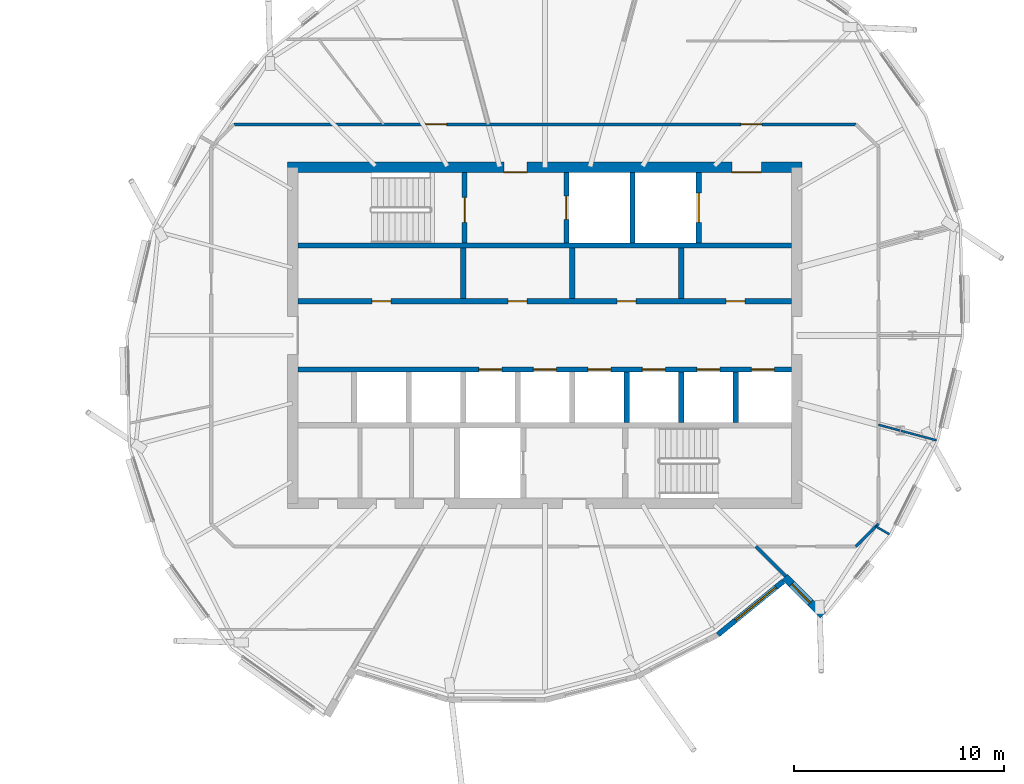
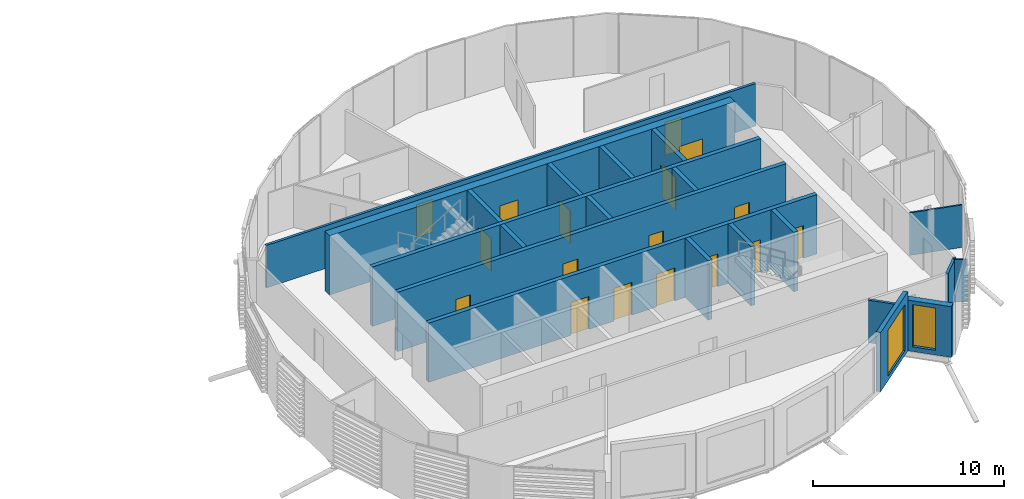
# One storey, part 24 of 41: 21 walls, 17 doors, 2 windows, 19 openings.
"""IFC4 building model written with IfcOpenShell, lengths in metres."""

from ifc_helpers import new_model, si_unit, direction, frame, frame_2d, origin, place, context, subcontext, project, spatial, rectangle, extrude, material, layer, layer_set, type_object, element, fill, save


model = new_model("IFC4")

# Units and contexts
model_context = context("Model", 3, precision=1e-05, world=origin(), true_north=direction((0.0, 1.0)))
body_context = subcontext(model_context, "Body", "Model", "MODEL_VIEW")
ifc_project = project(units=[si_unit("LENGTHUNIT", "METRE"), si_unit("AREAUNIT", "SQUARE_METRE"), si_unit("VOLUMEUNIT", "CUBIC_METRE"), si_unit("PLANEANGLEUNIT", "RADIAN"), si_unit("MASSUNIT", "GRAM", prefix="KILO")], contexts=[model_context])

# Site, building, storey
site_placement = place(None, origin())
site = spatial("IfcSite", under=ifc_project, at=site_placement, CompositionType="ELEMENT")
building_placement = place(site_placement, origin())
building = spatial("IfcBuilding", under=site, at=building_placement, Name="Rimbun Link Towers", CompositionType="ELEMENT")
storey_placement = place(building_placement, frame((0.0, 0.0, 214.300048828125)))
storey = spatial("IfcBuildingStorey", under=building, at=storey_placement, Name="L52", CompositionType="ELEMENT", Elevation=214.300048828125)

# Wall, opening, window
ifc_material_1 = material(Name="Dark enamelled glass spandrel on insulated aluminium backpan", Category="aluminium")
ifc_layer_1 = layer(ifc_material_1, 0.25)
ifc_layer_set_1 = layer_set([ifc_layer_1], Name="CS dark enamelled spandrel wall 250")
wall_type_1 = type_object("IfcWallType", Name="CS dark enamelled spandrel wall 250", PredefinedType="STANDARD", material=ifc_layer_set_1)
wall_1_placement = place(storey_placement, frame((43.10205078125, -11.70556640625, 0.0), z_axis=(0.0, 0.0, 1.0), x_axis=(-0.774667873464, -0.632368315006, 0.0)))
wall_1 = element("IfcWall", 1, at=wall_1_placement, inside=storey, type_object=wall_type_1, Name="Crease spandrel wall", PredefinedType="STANDARD", context=body_context, shape_type="SweptSolid", body=[
    extrude(rectangle(XDim=4.023193359375, YDim=0.25, at=frame_2d((2.01171875, 0.0))), origin(), (0.0, 0.0, 1.0), 3.800048828125),
])
opening_1_placement = place(wall_1_placement, frame((0.45166015625, 0.0, 0.300048828125)))
opening_1 = element("IfcOpeningElement", 2, at=opening_1_placement, cuts=wall_1, Name="Opening WR25H295", PredefinedType="OPENING", context=body_context, shape_type="SweptSolid", body=[
    extrude(rectangle(XDim=2.5, YDim=2.949951171875, at=frame_2d((1.25, 1.47509765625))), frame((0.0, 0.135009765625, 0.0), z_axis=(0.0, -1.0, 0.0), x_axis=(1.0, 0.0, 0.0)), (0.0, 0.0, 1.0), 0.27001953125),
])
ifc_material_2 = material(Name="Aluminium framed fixed window, dark tinted low-e glass", Category="aluminium")
window_type_1 = type_object("IfcWindowType", Name="WR ribbon window 2500X2950", PartitioningType="SINGLE_PANEL", PredefinedType="WINDOW", material=ifc_material_2)
window_1_placement = place(opening_1_placement, origin())
window_1 = element("IfcWindow", 3, at=window_1_placement, inside=storey, type_object=window_type_1, Name="Crease ribbon window", OverallHeight=2.949951171875, OverallWidth=2.5, PartitioningType="SINGLE_PANEL", PredefinedType="WINDOW", context=body_context, shape_type="SweptSolid", body=[
    extrude(rectangle(XDim=2.5, YDim=2.949951171875, at=frame_2d((1.25, 1.47509765625))), frame((0.0, 0.030029296875, 0.0), z_axis=(0.0, -1.0, 0.0), x_axis=(1.0, 0.0, 0.0)), (0.0, 0.0, 1.0), 0.06005859375),
])
fill(opening_1, window_1)

ifc_material_3 = material(Name="Dark enamelled glass spandrel on insulated aluminium backpan", Category="aluminium")
ifc_layer_2 = layer(ifc_material_3, 0.3701171875)
ifc_layer_set_2 = layer_set([ifc_layer_2], Name="CS dark enamelled spandrel wall 370")
wall_type_2 = type_object("IfcWallType", Name="CS dark enamelled spandrel wall 370", PredefinedType="STANDARD", material=ifc_layer_set_2)
wall_2_placement = place(storey_placement, frame((44.986083984375, -13.328125, 0.0), z_axis=(0.0, 0.0, 1.0), x_axis=(-0.707059465667, 0.70715409354, 0.0)))
wall_2 = element("IfcWall", 4, at=wall_2_placement, inside=storey, type_object=wall_type_2, Name="Crease spandrel wall", PredefinedType="STANDARD", context=body_context, shape_type="SweptSolid", body=[
    extrude(rectangle(XDim=2.580078125, YDim=0.3701171875, at=frame_2d((1.2900390625, 0.0))), origin(), (0.0, 0.0, 1.0), 3.24365234375),
])
opening_2_placement = place(wall_2_placement, frame((0.85888671875, 0.0, 0.300048828125)))
opening_2 = element("IfcOpeningElement", 5, at=opening_2_placement, cuts=wall_2, Name="Opening WR12H270", PredefinedType="OPENING", context=body_context, shape_type="SweptSolid", body=[
    extrude(rectangle(XDim=1.25, YDim=2.699951171875, at=frame_2d((0.625, 1.35009765625))), frame((0.0, 0.195068359375, 0.0), z_axis=(0.0, -1.0, 0.0), x_axis=(1.0, 0.0, 0.0)), (0.0, 0.0, 1.0), 0.39013671875),
])
ifc_material_4 = material(Name="Aluminium framed fixed window, dark tinted low-e glass", Category="aluminium")
window_type_2 = type_object("IfcWindowType", Name="WR ribbon window 1250X2700", PartitioningType="SINGLE_PANEL", PredefinedType="WINDOW", material=ifc_material_4)
window_2_placement = place(opening_2_placement, origin())
window_2 = element("IfcWindow", 6, at=window_2_placement, inside=storey, type_object=window_type_2, Name="Crease ribbon window", OverallHeight=2.699951171875, OverallWidth=1.25, PartitioningType="SINGLE_PANEL", PredefinedType="WINDOW", context=body_context, shape_type="SweptSolid", body=[
    extrude(rectangle(XDim=1.25, YDim=2.699951171875, at=frame_2d((0.625, 1.35009765625))), frame((0.0, 0.030029296875, 0.0), z_axis=(0.0, -1.0, 0.0), x_axis=(1.0, 0.0, 0.0)), (0.0, 0.0, 1.0), 0.06005859375),
])
fill(opening_2, window_2)

# Wall, openings, doors
ifc_material_5 = material(Name="Concrete C60/75", Category="concrete")
ifc_layer_3 = layer(ifc_material_5, 0.5)
ifc_layer_set_3 = layer_set([ifc_layer_3], Name="Core shear wall 500")
wall_type_3 = type_object("IfcWallType", Name="Core shear wall 500", PredefinedType="SHEAR", material=ifc_layer_set_3)
wall_3_placement = place(storey_placement, frame((19.5, 8.0, 0.0), z_axis=(0.0, 0.0, 1.0), x_axis=(1.0, 0.0, 0.0)))
wall_3 = element("IfcWall", 7, at=wall_3_placement, inside=storey, type_object=wall_type_3, Name="L52 T2 core wall N", PredefinedType="SHEAR", context=body_context, shape_type="SweptSolid", body=[
    extrude(rectangle(XDim=24.5, YDim=0.5, at=frame_2d((12.25, 0.0))), origin(), (0.0, 0.0, 1.0), 3.800048828125),
])
opening_3_placement = place(wall_3_placement, frame((10.300048828125, 0.0, 0.0)))
opening_3 = element("IfcOpeningElement", 8, at=opening_3_placement, cuts=wall_3, Name="Opening C2DCF01N", PredefinedType="OPENING", context=body_context, shape_type="SweptSolid", body=[
    extrude(rectangle(XDim=1.10009765625, YDim=2.10009765625, at=frame_2d((0.550048828125, 1.050048828125))), frame((0.0, 0.260009765625, 0.0), z_axis=(0.0, -1.0, 0.0), x_axis=(1.0, 0.0, 0.0)), (0.0, 0.0, 1.0), 0.52001953125),
])
opening_4_placement = place(wall_3_placement, frame((21.14990234375, 0.0, 0.0)))
opening_4 = element("IfcOpeningElement", 9, at=opening_4_placement, cuts=wall_3, Name="Opening C2DSL02N", PredefinedType="OPENING", context=body_context, shape_type="SweptSolid", body=[
    extrude(rectangle(XDim=1.39990234375, YDim=2.10009765625, at=frame_2d((0.699951171875, 1.050048828125))), frame((0.0, 0.260009765625, 0.0), z_axis=(0.0, -1.0, 0.0), x_axis=(1.0, 0.0, 0.0)), (0.0, 0.0, 1.0), 0.52001953125),
])
ifc_material_6 = material(Name="Steel fire door set", Category="steel")
door_type_1 = type_object("IfcDoorType", Name="Core fire door single", OperationType="SINGLE_SWING_LEFT", PredefinedType="DOOR", material=ifc_material_6)
door_1_placement = place(opening_3_placement, origin())
door_1 = element("IfcDoor", 10, at=door_1_placement, inside=storey, type_object=door_type_1, Name="L52 T2 firefighting lobby n door", OperationType="SINGLE_SWING_LEFT", OverallHeight=2.10009765625, OverallWidth=1.10009765625, PredefinedType="DOOR", context=body_context, shape_type="SweptSolid", body=[
    extrude(rectangle(XDim=1.10009765625, YDim=2.10009765625, at=frame_2d((0.550048828125, 1.050048828125))), frame((0.0, -0.2001953125, 0.0), z_axis=(0.0, -1.0, 0.0), x_axis=(1.0, 0.0, 0.0)), (0.0, 0.0, 1.0), 0.050048828125),
])
fill(opening_3, door_1)
ifc_material_7 = material(Name="Steel fire door set", Category="steel")
door_type_2 = type_object("IfcDoorType", Name="Service lobby door double", OperationType="DOUBLE_DOOR_SINGLE_SWING", PredefinedType="DOOR", material=ifc_material_7)
door_2_placement = place(opening_4_placement, origin())
door_2 = element("IfcDoor", 11, at=door_2_placement, inside=storey, type_object=door_type_2, Name="L52 T2 service lobby door", OperationType="DOUBLE_DOOR_SINGLE_SWING", OverallHeight=2.10009765625, OverallWidth=1.39990234375, PredefinedType="DOOR", context=body_context, shape_type="SweptSolid", body=[
    extrude(rectangle(XDim=1.39990234375, YDim=2.10009765625, at=frame_2d((0.699951171875, 1.050048828125))), frame((0.0, -0.2001953125, 0.0), z_axis=(0.0, -1.0, 0.0), x_axis=(1.0, 0.0, 0.0)), (0.0, 0.0, 1.0), 0.050048828125),
])
fill(opening_4, door_2)

ifc_material_8 = material(Name="Plasterboard on steel stud, mineral wool", Category="steel")
ifc_layer_4 = layer(ifc_material_8, 0.14990234375)
ifc_layer_set_4 = layer_set([ifc_layer_4], Name="Corridor wall EI 30 150 mm")
wall_type_4 = type_object("IfcWallType", Name="Corridor wall EI 30 150 mm", PredefinedType="PARTITIONING", material=ifc_layer_set_4)
wall_4_placement = place(storey_placement, frame((16.9462890625, 10.044921875, 0.0), z_axis=(0.0, 0.0, 1.0), x_axis=(1.0, 0.0, 0.0)))
wall_4 = element("IfcWall", 12, at=wall_4_placement, inside=storey, type_object=wall_type_4, Name="Corridor wall EI 30 150 mm", PredefinedType="PARTITIONING", context=body_context, shape_type="SweptSolid", body=[
    extrude(rectangle(XDim=29.607421875, YDim=0.14990234375, at=frame_2d((14.8037109375, 0.0))), origin(), (0.0, 0.0, 1.0), 2.721923828125),
])
opening_5_placement = place(wall_4_placement, frame((24.131103515625, 0.0, 0.0)))
opening_5 = element("IfcOpeningElement", 13, at=opening_5_placement, cuts=wall_4, Name="Opening D01", PredefinedType="OPENING", context=body_context, shape_type="SweptSolid", body=[
    extrude(rectangle(XDim=1.0, YDim=2.10009765625, at=frame_2d((0.5, 1.050048828125))), frame((0.0, 0.0849609375, 0.0), z_axis=(0.0, -1.0, 0.0), x_axis=(1.0, 0.0, 0.0)), (0.0, 0.0, 1.0), 0.169921875),
])
opening_6_placement = place(wall_4_placement, frame((9.12060546875, 0.0, 0.0)))
opening_6 = element("IfcOpeningElement", 14, at=opening_6_placement, cuts=wall_4, Name="Opening D01", PredefinedType="OPENING", context=body_context, shape_type="SweptSolid", body=[
    extrude(rectangle(XDim=1.0, YDim=2.10009765625, at=frame_2d((0.5, 1.050048828125))), frame((0.0, 0.0849609375, 0.0), z_axis=(0.0, -1.0, 0.0), x_axis=(1.0, 0.0, 0.0)), (0.0, 0.0, 1.0), 0.169921875),
])
ifc_material_9 = material(Name="Fire-resisting timber door leaf", Category="wood")
door_type_3 = type_object("IfcDoorType", Name="Fire door FD30S 1000", OperationType="NOTDEFINED", PredefinedType="DOOR", material=ifc_material_9)
door_3_placement = place(opening_5_placement, origin())
door_3 = element("IfcDoor", 15, at=door_3_placement, inside=storey, type_object=door_type_3, Name="Fire door FD30S 1000 to Reception", OperationType="SINGLE_SWING_LEFT", OverallHeight=2.10009765625, OverallWidth=1.0, PredefinedType="DOOR", context=body_context, shape_type="SweptSolid", body=[
    extrude(rectangle(XDim=1.0, YDim=2.10009765625, at=frame_2d((0.5, 1.050048828125))), frame((0.0, 0.02490234375, 0.0), z_axis=(0.0, -1.0, 0.0), x_axis=(1.0, 0.0, 0.0)), (0.0, 0.0, 1.0), 0.050048828125),
])
fill(opening_5, door_3)
door_4_placement = place(opening_6_placement, origin())
door_4 = element("IfcDoor", 16, at=door_4_placement, inside=storey, type_object=door_type_3, Name="Fire door FD30S 1000 to Reception", OperationType="SINGLE_SWING_RIGHT", OverallHeight=2.10009765625, OverallWidth=1.0, PredefinedType="DOOR", context=body_context, shape_type="SweptSolid", body=[
    extrude(rectangle(XDim=1.0, YDim=2.10009765625, at=frame_2d((0.5, 1.050048828125))), frame((0.0, 0.02490234375, 0.0), z_axis=(0.0, -1.0, 0.0), x_axis=(1.0, 0.0, 0.0)), (0.0, 0.0, 1.0), 0.050048828125),
])
fill(opening_6, door_4)

# Walls
wall_5_placement = place(storey_placement, frame((46.5537109375, -10.044921875, 0.0), z_axis=(0.0, 0.0, 1.0), x_axis=(0.707106781187, 0.707106781187, 0.0)))
element("IfcWall", 17, at=wall_5_placement, inside=storey, type_object=wall_type_4, Name="Corridor wall EI 30 150 mm", PredefinedType="PARTITIONING", context=body_context, shape_type="SweptSolid", body=[
    extrude(rectangle(XDim=1.529296875, YDim=0.14990234375, at=frame_2d((0.7646484375, 0.0))), origin(), (0.0, 0.0, 1.0), 2.721923828125),
])
ifc_material_10 = material(Name="Plasterboard on steel stud", Category="steel")
ifc_layer_5 = layer(ifc_material_10, 0.10009765625)
ifc_layer_set_5 = layer_set([ifc_layer_5], Name="Plasterboard partition 100 mm")
wall_type_5 = type_object("IfcWallType", Name="Plasterboard partition 100 mm", PredefinedType="PARTITIONING", material=ifc_layer_set_5)
wall_6_placement = place(storey_placement, frame((48.146240234375, -9.46630859375, 0.0), z_axis=(0.0, 0.0, 1.0), x_axis=(-0.866048655292, 0.499959725045, 0.0)))
element("IfcWall", 18, at=wall_6_placement, inside=storey, type_object=wall_type_5, Name="Plasterboard partition 100 mm", PredefinedType="PARTITIONING", context=body_context, shape_type="SweptSolid", body=[
    extrude(rectangle(XDim=0.7421875, YDim=0.10009765625, at=frame_2d((0.37109375, 0.0))), origin(), (0.0, 0.0, 1.0), 2.721923828125),
])
wall_7_placement = place(storey_placement, frame((50.3916015625, -4.9951171875, 0.0), z_axis=(0.0, 0.0, 1.0), x_axis=(-0.96591329959, 0.258865790856, 0.0)))
element("IfcWall", 19, at=wall_7_placement, inside=storey, type_object=wall_type_5, Name="Plasterboard partition 100 mm", PredefinedType="PARTITIONING", context=body_context, shape_type="SweptSolid", body=[
    extrude(rectangle(XDim=2.853759765625, YDim=0.10009765625, at=frame_2d((1.4267578125, 0.0))), origin(), (0.0, 0.0, 1.0), 2.721923828125),
])
ifc_material_11 = material(Name="Concrete C60/75", Category="concrete")
ifc_layer_6 = layer(ifc_material_11, 0.25)
ifc_layer_set_6 = layer_set([ifc_layer_6], Name="Shaft wall 250")
wall_type_6 = type_object("IfcWallType", Name="Shaft wall 250", PredefinedType="SHEAR", material=ifc_layer_set_6)
wall_8_placement = place(storey_placement, frame((20.0, 4.27490234375, 0.0), z_axis=(0.0, 0.0, 1.0), x_axis=(1.0, 0.0, 0.0)))
element("IfcWall", 20, at=wall_8_placement, inside=storey, type_object=wall_type_6, Name="L52 T2 core wall BN", PredefinedType="SHEAR", context=body_context, shape_type="SweptSolid", body=[
    extrude(rectangle(XDim=23.5, YDim=0.25, at=frame_2d((11.75, 0.0))), origin(), (0.0, 0.0, 1.0), 3.800048828125),
])

# Wall, openings, doors
wall_9_placement = place(storey_placement, frame((20.0, 1.625, 0.0), z_axis=(0.0, 0.0, 1.0), x_axis=(1.0, 0.0, 0.0)))
wall_9 = element("IfcWall", 21, at=wall_9_placement, inside=storey, type_object=wall_type_6, Name="L52 T2 core wall FN", PredefinedType="SHEAR", context=body_context, shape_type="SweptSolid", body=[
    extrude(rectangle(XDim=23.5, YDim=0.25, at=frame_2d((11.75, 0.0))), origin(), (0.0, 0.0, 1.0), 3.800048828125),
])
opening_7_placement = place(wall_9_placement, frame((3.5166015625, 0.0, 0.0)))
opening_7 = element("IfcOpeningElement", 22, at=opening_7_placement, cuts=wall_9, Name="Opening C2DRS01FN", PredefinedType="OPENING", context=body_context, shape_type="SweptSolid", body=[
    extrude(rectangle(XDim=0.89990234375, YDim=2.10009765625, at=frame_2d((0.449951171875, 1.050048828125))), frame((0.0, 0.135009765625, 0.0), z_axis=(0.0, -1.0, 0.0), x_axis=(1.0, 0.0, 0.0)), (0.0, 0.0, 1.0), 0.27001953125),
])
opening_8_placement = place(wall_9_placement, frame((10.002685546875, 0.0, 0.0)))
opening_8 = element("IfcOpeningElement", 23, at=opening_8_placement, cuts=wall_9, Name="Opening C2DRS02FN", PredefinedType="OPENING", context=body_context, shape_type="SweptSolid", body=[
    extrude(rectangle(XDim=0.89990234375, YDim=2.10009765625, at=frame_2d((0.449951171875, 1.050048828125))), frame((0.0, 0.135009765625, 0.0), z_axis=(0.0, -1.0, 0.0), x_axis=(1.0, 0.0, 0.0)), (0.0, 0.0, 1.0), 0.27001953125),
])
opening_9_placement = place(wall_9_placement, frame((15.191650390625, 0.0, 0.0)))
opening_9 = element("IfcOpeningElement", 24, at=opening_9_placement, cuts=wall_9, Name="Opening C2DRS03FN", PredefinedType="OPENING", context=body_context, shape_type="SweptSolid", body=[
    extrude(rectangle(XDim=0.89990234375, YDim=2.10009765625, at=frame_2d((0.449951171875, 1.050048828125))), frame((0.0, 0.135009765625, 0.0), z_axis=(0.0, -1.0, 0.0), x_axis=(1.0, 0.0, 0.0)), (0.0, 0.0, 1.0), 0.27001953125),
])
opening_10_placement = place(wall_9_placement, frame((20.380615234375, 0.0, 0.0)))
opening_10 = element("IfcOpeningElement", 25, at=opening_10_placement, cuts=wall_9, Name="Opening C2DRS04FN", PredefinedType="OPENING", context=body_context, shape_type="SweptSolid", body=[
    extrude(rectangle(XDim=0.89990234375, YDim=2.10009765625, at=frame_2d((0.449951171875, 1.050048828125))), frame((0.0, 0.135009765625, 0.0), z_axis=(0.0, -1.0, 0.0), x_axis=(1.0, 0.0, 0.0)), (0.0, 0.0, 1.0), 0.27001953125),
])
ifc_material_12 = material(Name="Steel fire door set", Category="steel")
door_type_4 = type_object("IfcDoorType", Name="Core riser door", OperationType="SINGLE_SWING_LEFT", PredefinedType="DOOR", material=ifc_material_12)
door_5_placement = place(opening_7_placement, origin())
door_5 = element("IfcDoor", 26, at=door_5_placement, inside=storey, type_object=door_type_4, Name="L52 T2 training store door", OperationType="SINGLE_SWING_LEFT", OverallHeight=2.10009765625, OverallWidth=0.89990234375, PredefinedType="DOOR", context=body_context, shape_type="SweptSolid", body=[
    extrude(rectangle(XDim=0.89990234375, YDim=2.10009765625, at=frame_2d((0.449951171875, 1.050048828125))), frame((0.0, 0.02490234375, 0.0), z_axis=(0.0, -1.0, 0.0), x_axis=(1.0, 0.0, 0.0)), (0.0, 0.0, 1.0), 0.050048828125),
])
fill(opening_7, door_5)
door_6_placement = place(opening_8_placement, origin())
door_6 = element("IfcDoor", 27, at=door_6_placement, inside=storey, type_object=door_type_4, Name="L52 T2 print room door", OperationType="SINGLE_SWING_RIGHT", OverallHeight=2.10009765625, OverallWidth=0.89990234375, PredefinedType="DOOR", context=body_context, shape_type="SweptSolid", body=[
    extrude(rectangle(XDim=0.89990234375, YDim=2.10009765625, at=frame_2d((0.449951171875, 1.050048828125))), frame((0.0, 0.02490234375, 0.0), z_axis=(0.0, -1.0, 0.0), x_axis=(1.0, 0.0, 0.0)), (0.0, 0.0, 1.0), 0.050048828125),
])
fill(opening_8, door_6)
door_7_placement = place(opening_9_placement, origin())
door_7 = element("IfcDoor", 28, at=door_7_placement, inside=storey, type_object=door_type_4, Name="L52 T2 staff lounge door", OperationType="SINGLE_SWING_LEFT", OverallHeight=2.10009765625, OverallWidth=0.89990234375, PredefinedType="DOOR", context=body_context, shape_type="SweptSolid", body=[
    extrude(rectangle(XDim=0.89990234375, YDim=2.10009765625, at=frame_2d((0.449951171875, 1.050048828125))), frame((0.0, 0.02490234375, 0.0), z_axis=(0.0, -1.0, 0.0), x_axis=(1.0, 0.0, 0.0)), (0.0, 0.0, 1.0), 0.050048828125),
])
fill(opening_9, door_7)
door_8_placement = place(opening_10_placement, origin())
door_8 = element("IfcDoor", 29, at=door_8_placement, inside=storey, type_object=door_type_4, Name="L52 T2 phone room door", OperationType="SINGLE_SWING_LEFT", OverallHeight=2.10009765625, OverallWidth=0.89990234375, PredefinedType="DOOR", context=body_context, shape_type="SweptSolid", body=[
    extrude(rectangle(XDim=0.89990234375, YDim=2.10009765625, at=frame_2d((0.449951171875, 1.050048828125))), frame((0.0, 0.02490234375, 0.0), z_axis=(0.0, -1.0, 0.0), x_axis=(1.0, 0.0, 0.0)), (0.0, 0.0, 1.0), 0.050048828125),
])
fill(opening_10, door_8)

wall_10_placement = place(storey_placement, frame((20.0, -1.625, 0.0), z_axis=(0.0, 0.0, 1.0), x_axis=(1.0, 0.0, 0.0)))
wall_10 = element("IfcWall", 30, at=wall_10_placement, inside=storey, type_object=wall_type_6, Name="L52 T2 core wall FS", PredefinedType="SHEAR", context=body_context, shape_type="SweptSolid", body=[
    extrude(rectangle(XDim=23.5, YDim=0.25, at=frame_2d((11.75, 0.0))), origin(), (0.0, 0.0, 1.0), 3.800048828125),
])
opening_11_placement = place(wall_10_placement, frame((8.605712890625, 0.0, 0.0)))
opening_11 = element("IfcOpeningElement", 31, at=opening_11_placement, cuts=wall_10, Name="Opening LD-T2-HR1", PredefinedType="OPENING", context=body_context, shape_type="SweptSolid", body=[
    extrude(rectangle(XDim=1.10009765625, YDim=2.10009765625, at=frame_2d((0.550048828125, 1.050048828125))), frame((0.0, 0.135009765625, 0.0), z_axis=(0.0, -1.0, 0.0), x_axis=(1.0, 0.0, 0.0)), (0.0, 0.0, 1.0), 0.27001953125),
])
opening_12_placement = place(wall_10_placement, frame((11.199951171875, 0.0, 0.0)))
opening_12 = element("IfcOpeningElement", 32, at=opening_12_placement, cuts=wall_10, Name="Opening LD-T2-HR2", PredefinedType="OPENING", context=body_context, shape_type="SweptSolid", body=[
    extrude(rectangle(XDim=1.10009765625, YDim=2.10009765625, at=frame_2d((0.550048828125, 1.050048828125))), frame((0.0, 0.135009765625, 0.0), z_axis=(0.0, -1.0, 0.0), x_axis=(1.0, 0.0, 0.0)), (0.0, 0.0, 1.0), 0.27001953125),
])
opening_13_placement = place(wall_10_placement, frame((13.79443359375, 0.0, 0.0)))
opening_13 = element("IfcOpeningElement", 33, at=opening_13_placement, cuts=wall_10, Name="Opening LD-T2-HR3", PredefinedType="OPENING", context=body_context, shape_type="SweptSolid", body=[
    extrude(rectangle(XDim=1.10009765625, YDim=2.10009765625, at=frame_2d((0.550048828125, 1.050048828125))), frame((0.0, 0.135009765625, 0.0), z_axis=(0.0, -1.0, 0.0), x_axis=(1.0, 0.0, 0.0)), (0.0, 0.0, 1.0), 0.27001953125),
])
opening_14_placement = place(wall_10_placement, frame((16.388916015625, 0.0, 0.0)))
opening_14 = element("IfcOpeningElement", 34, at=opening_14_placement, cuts=wall_10, Name="Opening LD-T2-HR4", PredefinedType="OPENING", context=body_context, shape_type="SweptSolid", body=[
    extrude(rectangle(XDim=1.10009765625, YDim=2.10009765625, at=frame_2d((0.550048828125, 1.050048828125))), frame((0.0, 0.135009765625, 0.0), z_axis=(0.0, -1.0, 0.0), x_axis=(1.0, 0.0, 0.0)), (0.0, 0.0, 1.0), 0.27001953125),
])
opening_15_placement = place(wall_10_placement, frame((18.9833984375, 0.0, 0.0)))
opening_15 = element("IfcOpeningElement", 35, at=opening_15_placement, cuts=wall_10, Name="Opening LD-T2-HR5", PredefinedType="OPENING", context=body_context, shape_type="SweptSolid", body=[
    extrude(rectangle(XDim=1.10009765625, YDim=2.10009765625, at=frame_2d((0.550048828125, 1.050048828125))), frame((0.0, 0.135009765625, 0.0), z_axis=(0.0, -1.0, 0.0), x_axis=(1.0, 0.0, 0.0)), (0.0, 0.0, 1.0), 0.27001953125),
])
opening_16_placement = place(wall_10_placement, frame((21.577880859375, 0.0, 0.0)))
opening_16 = element("IfcOpeningElement", 36, at=opening_16_placement, cuts=wall_10, Name="Opening LD-T2-HR6", PredefinedType="OPENING", context=body_context, shape_type="SweptSolid", body=[
    extrude(rectangle(XDim=1.10009765625, YDim=2.10009765625, at=frame_2d((0.550048828125, 1.050048828125))), frame((0.0, 0.135009765625, 0.0), z_axis=(0.0, -1.0, 0.0), x_axis=(1.0, 0.0, 0.0)), (0.0, 0.0, 1.0), 0.27001953125),
])
ifc_material_13 = material(Name="Stainless steel grade 316", Category="steel")
door_type_5 = type_object("IfcDoorType", Name="Lift landing door", OperationType="DOUBLE_DOOR_SLIDING", PredefinedType="DOOR", material=ifc_material_13)
door_9_placement = place(opening_11_placement, origin())
door_9 = element("IfcDoor", 37, at=door_9_placement, inside=storey, type_object=door_type_5, Name="L52 T2 lift HR1 landing door", OperationType="DOUBLE_DOOR_SLIDING", OverallHeight=2.10009765625, OverallWidth=1.10009765625, PredefinedType="DOOR", context=body_context, shape_type="SweptSolid", body=[
    extrude(rectangle(XDim=1.10009765625, YDim=2.10009765625, at=frame_2d((0.550048828125, 1.050048828125))), frame((0.0, 0.02490234375, 0.0), z_axis=(0.0, -1.0, 0.0), x_axis=(1.0, 0.0, 0.0)), (0.0, 0.0, 1.0), 0.050048828125),
])
fill(opening_11, door_9)
door_10_placement = place(opening_12_placement, origin())
door_10 = element("IfcDoor", 38, at=door_10_placement, inside=storey, type_object=door_type_5, Name="L52 T2 lift HR2 landing door", OperationType="DOUBLE_DOOR_SLIDING", OverallHeight=2.10009765625, OverallWidth=1.10009765625, PredefinedType="DOOR", context=body_context, shape_type="SweptSolid", body=[
    extrude(rectangle(XDim=1.10009765625, YDim=2.10009765625, at=frame_2d((0.550048828125, 1.050048828125))), frame((0.0, 0.02490234375, 0.0), z_axis=(0.0, -1.0, 0.0), x_axis=(1.0, 0.0, 0.0)), (0.0, 0.0, 1.0), 0.050048828125),
])
fill(opening_12, door_10)
door_11_placement = place(opening_13_placement, origin())
door_11 = element("IfcDoor", 39, at=door_11_placement, inside=storey, type_object=door_type_5, Name="L52 T2 lift HR3 landing door", OperationType="DOUBLE_DOOR_SLIDING", OverallHeight=2.10009765625, OverallWidth=1.10009765625, PredefinedType="DOOR", context=body_context, shape_type="SweptSolid", body=[
    extrude(rectangle(XDim=1.10009765625, YDim=2.10009765625, at=frame_2d((0.550048828125, 1.050048828125))), frame((0.0, 0.02490234375, 0.0), z_axis=(0.0, -1.0, 0.0), x_axis=(1.0, 0.0, 0.0)), (0.0, 0.0, 1.0), 0.050048828125),
])
fill(opening_13, door_11)
door_12_placement = place(opening_14_placement, origin())
door_12 = element("IfcDoor", 40, at=door_12_placement, inside=storey, type_object=door_type_5, Name="L52 T2 lift HR4 landing door", OperationType="DOUBLE_DOOR_SLIDING", OverallHeight=2.10009765625, OverallWidth=1.10009765625, PredefinedType="DOOR", context=body_context, shape_type="SweptSolid", body=[
    extrude(rectangle(XDim=1.10009765625, YDim=2.10009765625, at=frame_2d((0.550048828125, 1.050048828125))), frame((0.0, 0.02490234375, 0.0), z_axis=(0.0, -1.0, 0.0), x_axis=(1.0, 0.0, 0.0)), (0.0, 0.0, 1.0), 0.050048828125),
])
fill(opening_14, door_12)
door_13_placement = place(opening_15_placement, origin())
door_13 = element("IfcDoor", 41, at=door_13_placement, inside=storey, type_object=door_type_5, Name="L52 T2 lift HR5 landing door", OperationType="DOUBLE_DOOR_SLIDING", OverallHeight=2.10009765625, OverallWidth=1.10009765625, PredefinedType="DOOR", context=body_context, shape_type="SweptSolid", body=[
    extrude(rectangle(XDim=1.10009765625, YDim=2.10009765625, at=frame_2d((0.550048828125, 1.050048828125))), frame((0.0, 0.02490234375, 0.0), z_axis=(0.0, -1.0, 0.0), x_axis=(1.0, 0.0, 0.0)), (0.0, 0.0, 1.0), 0.050048828125),
])
fill(opening_15, door_13)
door_14_placement = place(opening_16_placement, origin())
door_14 = element("IfcDoor", 42, at=door_14_placement, inside=storey, type_object=door_type_5, Name="L52 T2 lift HR6 landing door", OperationType="DOUBLE_DOOR_SLIDING", OverallHeight=2.10009765625, OverallWidth=1.10009765625, PredefinedType="DOOR", context=body_context, shape_type="SweptSolid", body=[
    extrude(rectangle(XDim=1.10009765625, YDim=2.10009765625, at=frame_2d((0.550048828125, 1.050048828125))), frame((0.0, 0.02490234375, 0.0), z_axis=(0.0, -1.0, 0.0), x_axis=(1.0, 0.0, 0.0)), (0.0, 0.0, 1.0), 0.050048828125),
])
fill(opening_16, door_14)

# Walls
for number, where, z_axis, x_axis, name in (
    (43, (27.8583984375, 1.75, 0.0), (0.0, 0.0, 1.0), (0.0, 1.0, 0.0), "L52 T2 core wall DN2"),
    (44, (33.047119140625, 1.75, 0.0), (0.0, 0.0, 1.0), (0.0, 1.0, 0.0), "L52 T2 core wall DN4"),
    (45, (38.236083984375, 1.75, 0.0), (0.0, 0.0, 1.0), (0.0, 1.0, 0.0), "L52 T2 core wall DN6"),
    (46, (35.6416015625, -4.14990234375, 0.0), (0.0, 0.0, 1.0), (0.0, 1.0, 0.0), "L52 T2 core wall DS5"),
    (47, (38.236083984375, -4.14990234375, 0.0), (0.0, 0.0, 1.0), (0.0, 1.0, 0.0), "L52 T2 core wall DS6"),
    (48, (40.83056640625, -4.14990234375, 0.0), (0.0, 0.0, 1.0), (0.0, 1.0, 0.0), "L52 T2 core wall DS7"),
):
    element("IfcWall", number, at=place(storey_placement, frame(where, z_axis=z_axis, x_axis=x_axis)), inside=storey, type_object=wall_type_6, Name=name, PredefinedType="SHEAR", context=body_context, shape_type="SweptSolid", body=[
        extrude(rectangle(XDim=2.39990234375, YDim=0.25, at=frame_2d((1.199951171875, 0.0))), origin(), (0.0, 0.0, 1.0), 3.800048828125),
    ])

# Wall, opening, door
wall_11_placement = place(storey_placement, frame((27.925048828125, 4.39990234375, 0.0), z_axis=(0.0, 0.0, 1.0), x_axis=(0.0, 1.0, 0.0)))
wall_11 = element("IfcWall", 49, at=wall_11_placement, inside=storey, type_object=wall_type_6, Name="L52 T2 core wall A1", PredefinedType="SHEAR", context=body_context, shape_type="SweptSolid", body=[
    extrude(rectangle(XDim=3.35009765625, YDim=0.25, at=frame_2d((1.675048828125, 0.0))), origin(), (0.0, 0.0, 1.0), 3.800048828125),
])
opening_17_placement = place(wall_11_placement, frame((0.97509765625, 0.0, 0.0)))
opening_17 = element("IfcOpeningElement", 50, at=opening_17_placement, cuts=wall_11, Name="Opening C2DST01A1", PredefinedType="OPENING", context=body_context, shape_type="SweptSolid", body=[
    extrude(rectangle(XDim=1.199951171875, YDim=2.10009765625, at=frame_2d((0.60009765625, 1.050048828125))), frame((0.0, 0.135009765625, 0.0), z_axis=(0.0, -1.0, 0.0), x_axis=(1.0, 0.0, 0.0)), (0.0, 0.0, 1.0), 0.27001953125),
])
ifc_material_14 = material(Name="Steel fire door set", Category="steel")
door_type_6 = type_object("IfcDoorType", Name="Stair door", OperationType="SINGLE_SWING_LEFT", PredefinedType="DOOR", material=ifc_material_14)
door_15_placement = place(opening_17_placement, origin())
door_15 = element("IfcDoor", 51, at=door_15_placement, inside=storey, type_object=door_type_6, Name="L52 T2 stair a door", OperationType="SINGLE_SWING_RIGHT", OverallHeight=2.10009765625, OverallWidth=1.199951171875, PredefinedType="DOOR", context=body_context, shape_type="SweptSolid", body=[
    extrude(rectangle(XDim=1.199951171875, YDim=2.10009765625, at=frame_2d((0.60009765625, 1.050048828125))), frame((0.0, 0.02490234375, 0.0), z_axis=(0.0, -1.0, 0.0), x_axis=(1.0, 0.0, 0.0)), (0.0, 0.0, 1.0), 0.050048828125),
])
fill(opening_17, door_15)

wall_12_placement = place(storey_placement, frame((32.77490234375, 4.39990234375, 0.0), z_axis=(0.0, 0.0, 1.0), x_axis=(0.0, 1.0, 0.0)))
wall_12 = element("IfcWall", 52, at=wall_12_placement, inside=storey, type_object=wall_type_6, Name="L52 T2 core wall A2", PredefinedType="SHEAR", context=body_context, shape_type="SweptSolid", body=[
    extrude(rectangle(XDim=3.35009765625, YDim=0.25, at=frame_2d((1.675048828125, 0.0))), origin(), (0.0, 0.0, 1.0), 3.800048828125),
])
opening_18_placement = place(wall_12_placement, frame((1.125, 0.0, 0.0)))
opening_18 = element("IfcOpeningElement", 53, at=opening_18_placement, cuts=wall_12, Name="Opening LD-T2-FF1", PredefinedType="OPENING", context=body_context, shape_type="SweptSolid", body=[
    extrude(rectangle(XDim=1.10009765625, YDim=2.10009765625, at=frame_2d((0.550048828125, 1.050048828125))), frame((0.0, 0.135009765625, 0.0), z_axis=(0.0, -1.0, 0.0), x_axis=(1.0, 0.0, 0.0)), (0.0, 0.0, 1.0), 0.27001953125),
])
door_16_placement = place(opening_18_placement, origin())
door_16 = element("IfcDoor", 54, at=door_16_placement, inside=storey, type_object=door_type_5, Name="L52 T2 lift FF1 landing door", OperationType="DOUBLE_DOOR_SLIDING", OverallHeight=2.10009765625, OverallWidth=1.10009765625, PredefinedType="DOOR", context=body_context, shape_type="SweptSolid", body=[
    extrude(rectangle(XDim=1.10009765625, YDim=2.10009765625, at=frame_2d((0.550048828125, 1.050048828125))), frame((0.0, 0.02490234375, 0.0), z_axis=(0.0, -1.0, 0.0), x_axis=(1.0, 0.0, 0.0)), (0.0, 0.0, 1.0), 0.050048828125),
])
fill(opening_18, door_16)

# Wall
wall_13_placement = place(storey_placement, frame((35.925048828125, 4.39990234375, 0.0), z_axis=(0.0, 0.0, 1.0), x_axis=(0.0, 1.0, 0.0)))
element("IfcWall", 55, at=wall_13_placement, inside=storey, type_object=wall_type_6, Name="L52 T2 core wall A3", PredefinedType="SHEAR", context=body_context, shape_type="SweptSolid", body=[
    extrude(rectangle(XDim=3.35009765625, YDim=0.25, at=frame_2d((1.675048828125, 0.0))), origin(), (0.0, 0.0, 1.0), 3.800048828125),
])

# Wall, opening, door
wall_14_placement = place(storey_placement, frame((39.074951171875, 4.39990234375, 0.0), z_axis=(0.0, 0.0, 1.0), x_axis=(0.0, 1.0, 0.0)))
wall_14 = element("IfcWall", 56, at=wall_14_placement, inside=storey, type_object=wall_type_6, Name="L52 T2 core wall A4", PredefinedType="SHEAR", context=body_context, shape_type="SweptSolid", body=[
    extrude(rectangle(XDim=3.35009765625, YDim=0.25, at=frame_2d((1.675048828125, 0.0))), origin(), (0.0, 0.0, 1.0), 3.800048828125),
])
opening_19_placement = place(wall_14_placement, frame((0.97509765625, 0.0, 0.0)))
opening_19 = element("IfcOpeningElement", 57, at=opening_19_placement, cuts=wall_14, Name="Opening LD-T2-GL1", PredefinedType="OPENING", context=body_context, shape_type="SweptSolid", body=[
    extrude(rectangle(XDim=1.39990234375, YDim=2.10009765625, at=frame_2d((0.699951171875, 1.050048828125))), frame((0.0, 0.135009765625, 0.0), z_axis=(0.0, -1.0, 0.0), x_axis=(1.0, 0.0, 0.0)), (0.0, 0.0, 1.0), 0.27001953125),
])
ifc_material_15 = material(Name="Stainless steel grade 316", Category="steel")
door_type_7 = type_object("IfcDoorType", Name="Goods lift landing door", OperationType="DOUBLE_DOOR_SLIDING", PredefinedType="DOOR", material=ifc_material_15)
door_17_placement = place(opening_19_placement, origin())
door_17 = element("IfcDoor", 58, at=door_17_placement, inside=storey, type_object=door_type_7, Name="L52 T2 lift GL1 landing door", OperationType="DOUBLE_DOOR_SLIDING", OverallHeight=2.10009765625, OverallWidth=1.39990234375, PredefinedType="DOOR", context=body_context, shape_type="SweptSolid", body=[
    extrude(rectangle(XDim=1.39990234375, YDim=2.10009765625, at=frame_2d((0.699951171875, 1.050048828125))), frame((0.0, 0.02490234375, 0.0), z_axis=(0.0, -1.0, 0.0), x_axis=(1.0, 0.0, 0.0)), (0.0, 0.0, 1.0), 0.050048828125),
])
fill(opening_19, door_17)

# Wall
ifc_material_16 = material(Name="Plasterboard on steel stud, mineral wool", Category="steel")
ifc_layer_7 = layer(ifc_material_16, 0.14990234375)
ifc_layer_set_7 = layer_set([ifc_layer_7], Name="Tenancy separation wall EI 60 150 mm")
wall_type_7 = type_object("IfcWallType", Name="Tenancy separation wall EI 60 150 mm", PredefinedType="PARTITIONING", material=ifc_layer_set_7)
wall_15_placement = place(storey_placement, frame((41.794921875, -10.044921875, 0.0), z_axis=(0.0, 0.0, 1.0), x_axis=(0.707106781187, -0.707106781187, 0.0)))
element("IfcWall", 59, at=wall_15_placement, inside=storey, type_object=wall_type_7, Name="Tenancy separation wall EI 60 150 mm", PredefinedType="PARTITIONING", context=body_context, shape_type="SweptSolid", body=[
    extrude(rectangle(XDim=1.998046875, YDim=0.14990234375, at=frame_2d((0.9990234375, 0.0))), origin(), (0.0, 0.0, 1.0), 2.721923828125),
])

save(model, "model.ifc")
